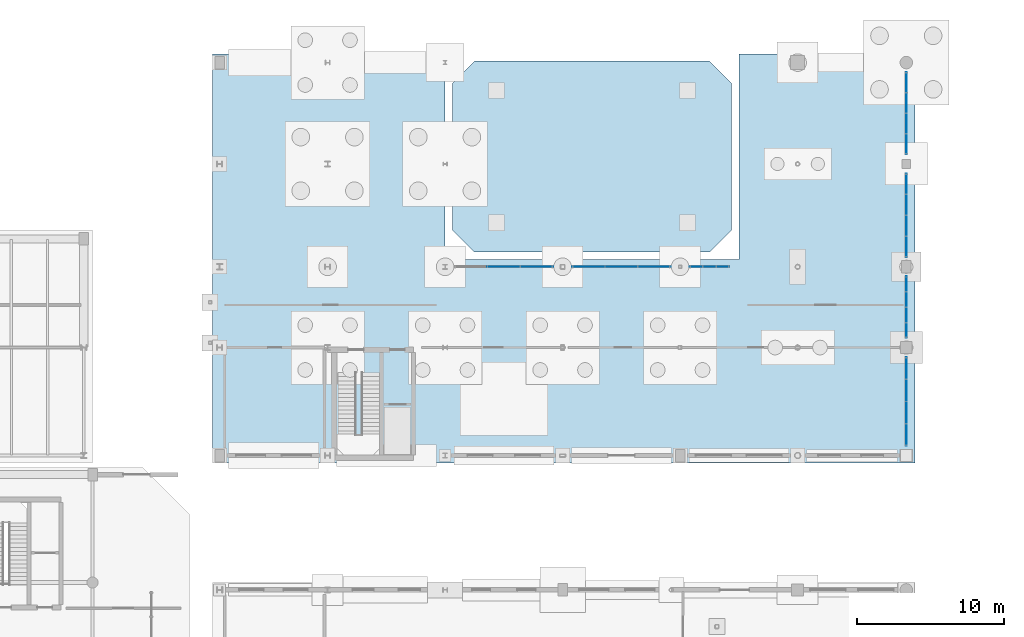
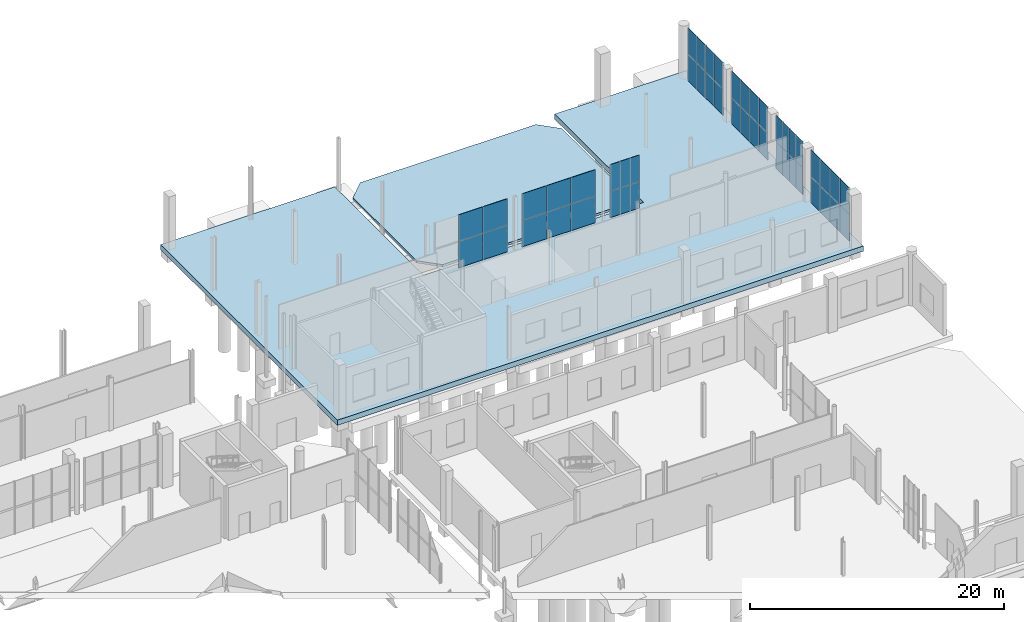
# One storey, part 64 of 87: 48 plates, 2 slabs, 7 elements without a shape of their own.
"""IFC4 building model written with IfcOpenShell, lengths in metres."""

from ifc_helpers import new_model, si_unit, direction, frame, origin, origin_2d, place, context, subcontext, project, spatial, polyline, rectangle, outline, extrude, material, layer, layer_set, type_object, element, aggregate, save


model = new_model("IFC4")

# Units and contexts
model_context = context("Model", 3, precision=1e-05, world=origin(), true_north=direction((0.0, 1.0)))
body_context = subcontext(model_context, "Body", "Model", "MODEL_VIEW")
ifc_project = project(units=[si_unit("LENGTHUNIT", "METRE"), si_unit("AREAUNIT", "SQUARE_METRE"), si_unit("VOLUMEUNIT", "CUBIC_METRE"), si_unit("PLANEANGLEUNIT", "RADIAN"), si_unit("MASSUNIT", "GRAM", prefix="KILO")], contexts=[model_context])

# Site, building, storey
site_placement = place(None, origin())
site = spatial("IfcSite", under=ifc_project, at=site_placement, CompositionType="ELEMENT")
building_placement = place(site_placement, origin())
building = spatial("IfcBuilding", under=site, at=building_placement, Name="Brisemont Oceanarium", CompositionType="ELEMENT")
storey_placement = place(building_placement, origin())
storey = spatial("IfcBuildingStorey", under=building, at=storey_placement, Name="L00", CompositionType="ELEMENT", Elevation=0.0)

# Curtain wall, plates
ifc_material_1 = material(Name="Anodized Extruded Aluminum 6063-T6", Category="aluminium")
curtain_wall_type_1 = type_object("IfcCurtainWallType", Name="CW-RES-52X41", PredefinedType="NOTDEFINED", material=ifc_material_1)
curtain_wall_1_placement = place(storey_placement, origin())
curtain_wall_1 = element("IfcCurtainWall", 1, at=curtain_wall_1_placement, inside=storey, type_object=curtain_wall_type_1, Name="CW-18 curtain wall CW-V6-CL-L00-01", PredefinedType="NOTDEFINED")
ifc_material_2 = material(Name="Insulated Low-E Laminated Glass", Category="glass")
ifc_layer_1 = layer(ifc_material_2, 0.02587890625)
ifc_layer_set_1 = layer_set([ifc_layer_1], Name="Insulated Low-E Laminated Glass")
plate_type_1 = type_object("IfcPlateType", Name="PLT-CWP-V10", PredefinedType="CURTAIN_PANEL", material=ifc_layer_set_1)
plate_1_placement = place(storey_placement, frame((132.0, 93.5, 0.00146484375), z_axis=(0.0, 0.0, 1.0), x_axis=(1.0, 0.0, 0.0)))
plate_1 = element("IfcPlate", 2, at=plate_1_placement, type_object=plate_type_1, Name="CW-V6-CL-L00-01 panel 2.1", PredefinedType="CURTAIN_PANEL", context=body_context, shape_type="SweptSolid", body=[
    extrude(rectangle(XDim=2.230224609375, YDim=0.02587890625, at=origin_2d()), origin(), (0.0, 0.0, 1.0), 2.547119140625),
])
plate_2_placement = place(storey_placement, frame((132.0, 93.5, 2.55126953125), z_axis=(0.0, 0.0, 1.0), x_axis=(1.0, 0.0, 0.0)))
plate_2 = element("IfcPlate", 3, at=plate_2_placement, type_object=plate_type_1, Name="CW-V6-CL-L00-01 panel 2.2", PredefinedType="CURTAIN_PANEL", context=body_context, shape_type="SweptSolid", body=[
    extrude(rectangle(XDim=2.230224609375, YDim=0.02587890625, at=origin_2d()), origin(), (0.0, 0.0, 1.0), 2.547119140625),
])
plate_3_placement = place(storey_placement, frame((134.2333984375, 93.5, 0.00146484375), z_axis=(0.0, 0.0, 1.0), x_axis=(1.0, 0.0, 0.0)))
plate_3 = element("IfcPlate", 4, at=plate_3_placement, type_object=plate_type_1, Name="CW-V6-CL-L00-01 panel 3.1", PredefinedType="CURTAIN_PANEL", context=body_context, shape_type="SweptSolid", body=[
    extrude(rectangle(XDim=2.230224609375, YDim=0.02587890625, at=origin_2d()), origin(), (0.0, 0.0, 1.0), 2.547119140625),
])
plate_4_placement = place(storey_placement, frame((134.2333984375, 93.5, 2.55126953125), z_axis=(0.0, 0.0, 1.0), x_axis=(1.0, 0.0, 0.0)))
plate_4 = element("IfcPlate", 5, at=plate_4_placement, type_object=plate_type_1, Name="CW-V6-CL-L00-01 panel 3.2", PredefinedType="CURTAIN_PANEL", context=body_context, shape_type="SweptSolid", body=[
    extrude(rectangle(XDim=2.230224609375, YDim=0.02587890625, at=origin_2d()), origin(), (0.0, 0.0, 1.0), 2.547119140625),
])
aggregate(curtain_wall_1, [plate_1, plate_2, plate_3, plate_4])

curtain_wall_2_placement = place(storey_placement, origin())
curtain_wall_2 = element("IfcCurtainWall", 6, at=curtain_wall_2_placement, inside=storey, type_object=curtain_wall_type_1, Name="CW-18 curtain wall CW-V6-CL-L00-02", PredefinedType="NOTDEFINED")
plate_5_placement = place(storey_placement, frame((137.7666015625, 93.5, 0.00146484375), z_axis=(0.0, 0.0, 1.0), x_axis=(1.0, 0.0, 0.0)))
plate_5 = element("IfcPlate", 7, at=plate_5_placement, type_object=plate_type_1, Name="CW-V6-CL-L00-02 panel 1.1", PredefinedType="CURTAIN_PANEL", context=body_context, shape_type="SweptSolid", body=[
    extrude(rectangle(XDim=2.230224609375, YDim=0.02587890625, at=origin_2d()), origin(), (0.0, 0.0, 1.0), 2.547119140625),
])
plate_6_placement = place(storey_placement, frame((137.7666015625, 93.5, 2.55126953125), z_axis=(0.0, 0.0, 1.0), x_axis=(1.0, 0.0, 0.0)))
plate_6 = element("IfcPlate", 8, at=plate_6_placement, type_object=plate_type_1, Name="CW-V6-CL-L00-02 panel 1.2", PredefinedType="CURTAIN_PANEL", context=body_context, shape_type="SweptSolid", body=[
    extrude(rectangle(XDim=2.230224609375, YDim=0.02587890625, at=origin_2d()), origin(), (0.0, 0.0, 1.0), 2.547119140625),
])
plate_7_placement = place(storey_placement, frame((140.0, 93.5, 0.00146484375), z_axis=(0.0, 0.0, 1.0), x_axis=(1.0, 0.0, 0.0)))
plate_7 = element("IfcPlate", 9, at=plate_7_placement, type_object=plate_type_1, Name="CW-V6-CL-L00-02 panel 2.1", PredefinedType="CURTAIN_PANEL", context=body_context, shape_type="SweptSolid", body=[
    extrude(rectangle(XDim=2.230224609375, YDim=0.02587890625, at=origin_2d()), origin(), (0.0, 0.0, 1.0), 2.547119140625),
])
plate_8_placement = place(storey_placement, frame((140.0, 93.5, 2.55126953125), z_axis=(0.0, 0.0, 1.0), x_axis=(1.0, 0.0, 0.0)))
plate_8 = element("IfcPlate", 10, at=plate_8_placement, type_object=plate_type_1, Name="CW-V6-CL-L00-02 panel 2.2", PredefinedType="CURTAIN_PANEL", context=body_context, shape_type="SweptSolid", body=[
    extrude(rectangle(XDim=2.230224609375, YDim=0.02587890625, at=origin_2d()), origin(), (0.0, 0.0, 1.0), 2.547119140625),
])
plate_9_placement = place(storey_placement, frame((142.2333984375, 93.5, 0.00146484375), z_axis=(0.0, 0.0, 1.0), x_axis=(1.0, 0.0, 0.0)))
plate_9 = element("IfcPlate", 11, at=plate_9_placement, type_object=plate_type_1, Name="CW-V6-CL-L00-02 panel 3.1", PredefinedType="CURTAIN_PANEL", context=body_context, shape_type="SweptSolid", body=[
    extrude(rectangle(XDim=2.230224609375, YDim=0.02587890625, at=origin_2d()), origin(), (0.0, 0.0, 1.0), 2.547119140625),
])
plate_10_placement = place(storey_placement, frame((142.2333984375, 93.5, 2.55126953125), z_axis=(0.0, 0.0, 1.0), x_axis=(1.0, 0.0, 0.0)))
plate_10 = element("IfcPlate", 12, at=plate_10_placement, type_object=plate_type_1, Name="CW-V6-CL-L00-02 panel 3.2", PredefinedType="CURTAIN_PANEL", context=body_context, shape_type="SweptSolid", body=[
    extrude(rectangle(XDim=2.230224609375, YDim=0.02587890625, at=origin_2d()), origin(), (0.0, 0.0, 1.0), 2.547119140625),
])
aggregate(curtain_wall_2, [plate_5, plate_6, plate_7, plate_8, plate_9, plate_10])

curtain_wall_3_placement = place(storey_placement, origin())
curtain_wall_3 = element("IfcCurtainWall", 13, at=curtain_wall_3_placement, inside=storey, type_object=curtain_wall_type_1, Name="CW-18 curtain wall CW-V6-CL-L00-03", PredefinedType="NOTDEFINED")
plate_11_placement = place(storey_placement, frame((145.10009765625, 93.5, 0.00146484375), z_axis=(0.0, 0.0, 1.0), x_axis=(1.0, 0.0, 0.0)))
plate_11 = element("IfcPlate", 14, at=plate_11_placement, type_object=plate_type_1, Name="CW-V6-CL-L00-03 panel 1.1", PredefinedType="CURTAIN_PANEL", context=body_context, shape_type="SweptSolid", body=[
    extrude(rectangle(XDim=0.89697265625, YDim=0.02587890625, at=origin_2d()), origin(), (0.0, 0.0, 1.0), 2.547119140625),
])
plate_12_placement = place(storey_placement, frame((145.10009765625, 93.5, 2.55126953125), z_axis=(0.0, 0.0, 1.0), x_axis=(1.0, 0.0, 0.0)))
plate_12 = element("IfcPlate", 15, at=plate_12_placement, type_object=plate_type_1, Name="CW-V6-CL-L00-03 panel 1.2", PredefinedType="CURTAIN_PANEL", context=body_context, shape_type="SweptSolid", body=[
    extrude(rectangle(XDim=0.89697265625, YDim=0.02587890625, at=origin_2d()), origin(), (0.0, 0.0, 1.0), 2.547119140625),
])
plate_13_placement = place(storey_placement, frame((146.0, 93.5, 0.00146484375), z_axis=(0.0, 0.0, 1.0), x_axis=(1.0, 0.0, 0.0)))
plate_13 = element("IfcPlate", 16, at=plate_13_placement, type_object=plate_type_1, Name="CW-V6-CL-L00-03 panel 2.1", PredefinedType="CURTAIN_PANEL", context=body_context, shape_type="SweptSolid", body=[
    extrude(rectangle(XDim=0.89697265625, YDim=0.02587890625, at=origin_2d()), origin(), (0.0, 0.0, 1.0), 2.547119140625),
])
plate_14_placement = place(storey_placement, frame((146.0, 93.5, 2.55126953125), z_axis=(0.0, 0.0, 1.0), x_axis=(1.0, 0.0, 0.0)))
plate_14 = element("IfcPlate", 17, at=plate_14_placement, type_object=plate_type_1, Name="CW-V6-CL-L00-03 panel 2.2", PredefinedType="CURTAIN_PANEL", context=body_context, shape_type="SweptSolid", body=[
    extrude(rectangle(XDim=0.89697265625, YDim=0.02587890625, at=origin_2d()), origin(), (0.0, 0.0, 1.0), 2.547119140625),
])
plate_15_placement = place(storey_placement, frame((146.89990234375, 93.5, 0.00146484375), z_axis=(0.0, 0.0, 1.0), x_axis=(1.0, 0.0, 0.0)))
plate_15 = element("IfcPlate", 18, at=plate_15_placement, type_object=plate_type_1, Name="CW-V6-CL-L00-03 panel 3.1", PredefinedType="CURTAIN_PANEL", context=body_context, shape_type="SweptSolid", body=[
    extrude(rectangle(XDim=0.89697265625, YDim=0.02587890625, at=origin_2d()), origin(), (0.0, 0.0, 1.0), 2.547119140625),
])
plate_16_placement = place(storey_placement, frame((146.89990234375, 93.5, 2.55126953125), z_axis=(0.0, 0.0, 1.0), x_axis=(1.0, 0.0, 0.0)))
plate_16 = element("IfcPlate", 19, at=plate_16_placement, type_object=plate_type_1, Name="CW-V6-CL-L00-03 panel 3.2", PredefinedType="CURTAIN_PANEL", context=body_context, shape_type="SweptSolid", body=[
    extrude(rectangle(XDim=0.89697265625, YDim=0.02587890625, at=origin_2d()), origin(), (0.0, 0.0, 1.0), 2.547119140625),
])
aggregate(curtain_wall_3, [plate_11, plate_12, plate_13, plate_14, plate_15, plate_16])

ifc_material_3 = material(Name="Anodized Extruded Aluminum 6063-T6", Category="aluminium")
curtain_wall_type_2 = type_object("IfcCurtainWallType", Name="CW-RES-69X43", PredefinedType="NOTDEFINED", material=ifc_material_3)
curtain_wall_4_placement = place(storey_placement, origin())
curtain_wall_4 = element("IfcCurtainWall", 20, at=curtain_wall_4_placement, inside=storey, type_object=curtain_wall_type_2, Name="CW-16 curtain wall CW-V6-E-L00-01", PredefinedType="NOTDEFINED")
ifc_material_4 = material(Name="Insulated Low-E Laminated Glass", Category="glass")
ifc_layer_2 = layer(ifc_material_4, 0.02587890625)
ifc_layer_set_2 = layer_set([ifc_layer_2], Name="Insulated Low-E Laminated Glass")
plate_type_2 = type_object("IfcPlateType", Name="PLT-CWP-V8", PredefinedType="CURTAIN_PANEL", material=ifc_layer_set_2)
plate_17_placement = place(storey_placement, frame((159.39990234375, 82.05615234375, 0.00146484375), z_axis=(0.0, 0.0, 1.0), x_axis=(0.0, 1.0, 0.0)))
plate_17 = element("IfcPlate", 21, at=plate_17_placement, type_object=plate_type_2, Name="CW-V6-E-L00-01 panel 1.1", PredefinedType="CURTAIN_PANEL", context=body_context, shape_type="SweptSolid", body=[
    extrude(rectangle(XDim=1.509521484375, YDim=0.02587890625, at=origin_2d()), origin(), (0.0, 0.0, 1.0), 2.547119140625),
])
plate_18_placement = place(storey_placement, frame((159.39990234375, 82.05615234375, 2.55126953125), z_axis=(0.0, 0.0, 1.0), x_axis=(0.0, 1.0, 0.0)))
plate_18 = element("IfcPlate", 22, at=plate_18_placement, type_object=plate_type_2, Name="CW-V6-E-L00-01 panel 1.2", PredefinedType="CURTAIN_PANEL", context=body_context, shape_type="SweptSolid", body=[
    extrude(rectangle(XDim=1.509521484375, YDim=0.02587890625, at=origin_2d()), origin(), (0.0, 0.0, 1.0), 2.547119140625),
])
plate_19_placement = place(storey_placement, frame((159.39990234375, 83.568603515625, 0.00146484375), z_axis=(0.0, 0.0, 1.0), x_axis=(0.0, 1.0, 0.0)))
plate_19 = element("IfcPlate", 23, at=plate_19_placement, type_object=plate_type_2, Name="CW-V6-E-L00-01 panel 2.1", PredefinedType="CURTAIN_PANEL", context=body_context, shape_type="SweptSolid", body=[
    extrude(rectangle(XDim=1.509521484375, YDim=0.02587890625, at=origin_2d()), origin(), (0.0, 0.0, 1.0), 2.547119140625),
])
plate_20_placement = place(storey_placement, frame((159.39990234375, 83.568603515625, 2.55126953125), z_axis=(0.0, 0.0, 1.0), x_axis=(0.0, 1.0, 0.0)))
plate_20 = element("IfcPlate", 24, at=plate_20_placement, type_object=plate_type_2, Name="CW-V6-E-L00-01 panel 2.2", PredefinedType="CURTAIN_PANEL", context=body_context, shape_type="SweptSolid", body=[
    extrude(rectangle(XDim=1.509521484375, YDim=0.02587890625, at=origin_2d()), origin(), (0.0, 0.0, 1.0), 2.547119140625),
])
plate_21_placement = place(storey_placement, frame((159.39990234375, 85.081298828125, 0.00146484375), z_axis=(0.0, 0.0, 1.0), x_axis=(0.0, 1.0, 0.0)))
plate_21 = element("IfcPlate", 25, at=plate_21_placement, type_object=plate_type_2, Name="CW-V6-E-L00-01 panel 3.1", PredefinedType="CURTAIN_PANEL", context=body_context, shape_type="SweptSolid", body=[
    extrude(rectangle(XDim=1.509521484375, YDim=0.02587890625, at=origin_2d()), origin(), (0.0, 0.0, 1.0), 2.547119140625),
])
plate_22_placement = place(storey_placement, frame((159.39990234375, 85.081298828125, 2.55126953125), z_axis=(0.0, 0.0, 1.0), x_axis=(0.0, 1.0, 0.0)))
plate_22 = element("IfcPlate", 26, at=plate_22_placement, type_object=plate_type_2, Name="CW-V6-E-L00-01 panel 3.2", PredefinedType="CURTAIN_PANEL", context=body_context, shape_type="SweptSolid", body=[
    extrude(rectangle(XDim=1.509521484375, YDim=0.02587890625, at=origin_2d()), origin(), (0.0, 0.0, 1.0), 2.547119140625),
])
plate_23_placement = place(storey_placement, frame((159.39990234375, 86.59375, 0.00146484375), z_axis=(0.0, 0.0, 1.0), x_axis=(0.0, 1.0, 0.0)))
plate_23 = element("IfcPlate", 27, at=plate_23_placement, type_object=plate_type_2, Name="CW-V6-E-L00-01 panel 4.1", PredefinedType="CURTAIN_PANEL", context=body_context, shape_type="SweptSolid", body=[
    extrude(rectangle(XDim=1.509521484375, YDim=0.02587890625, at=origin_2d()), origin(), (0.0, 0.0, 1.0), 2.547119140625),
])
plate_24_placement = place(storey_placement, frame((159.39990234375, 86.59375, 2.55126953125), z_axis=(0.0, 0.0, 1.0), x_axis=(0.0, 1.0, 0.0)))
plate_24 = element("IfcPlate", 28, at=plate_24_placement, type_object=plate_type_2, Name="CW-V6-E-L00-01 panel 4.2", PredefinedType="CURTAIN_PANEL", context=body_context, shape_type="SweptSolid", body=[
    extrude(rectangle(XDim=1.509521484375, YDim=0.02587890625, at=origin_2d()), origin(), (0.0, 0.0, 1.0), 2.547119140625),
])
aggregate(curtain_wall_4, [plate_17, plate_18, plate_19, plate_20, plate_21, plate_22, plate_23, plate_24])

curtain_wall_5_placement = place(storey_placement, origin())
curtain_wall_5 = element("IfcCurtainWall", 29, at=curtain_wall_5_placement, inside=storey, type_object=curtain_wall_type_2, Name="CW-16 curtain wall CW-V6-E-L00-02", PredefinedType="NOTDEFINED")
plate_25_placement = place(storey_placement, frame((159.39990234375, 89.175048828125, 0.00146484375), z_axis=(0.0, 0.0, 1.0), x_axis=(0.0, 1.0, 0.0)))
plate_25 = element("IfcPlate", 30, at=plate_25_placement, type_object=plate_type_2, Name="CW-V6-E-L00-02 panel 1.1", PredefinedType="CURTAIN_PANEL", context=body_context, shape_type="SweptSolid", body=[
    extrude(rectangle(XDim=1.047119140625, YDim=0.02587890625, at=origin_2d()), origin(), (0.0, 0.0, 1.0), 2.547119140625),
])
plate_26_placement = place(storey_placement, frame((159.39990234375, 89.175048828125, 2.55126953125), z_axis=(0.0, 0.0, 1.0), x_axis=(0.0, 1.0, 0.0)))
plate_26 = element("IfcPlate", 31, at=plate_26_placement, type_object=plate_type_2, Name="CW-V6-E-L00-02 panel 1.2", PredefinedType="CURTAIN_PANEL", context=body_context, shape_type="SweptSolid", body=[
    extrude(rectangle(XDim=1.047119140625, YDim=0.02587890625, at=origin_2d()), origin(), (0.0, 0.0, 1.0), 2.547119140625),
])
plate_27_placement = place(storey_placement, frame((159.39990234375, 90.22509765625, 0.00146484375), z_axis=(0.0, 0.0, 1.0), x_axis=(0.0, 1.0, 0.0)))
plate_27 = element("IfcPlate", 32, at=plate_27_placement, type_object=plate_type_2, Name="CW-V6-E-L00-02 panel 2.1", PredefinedType="CURTAIN_PANEL", context=body_context, shape_type="SweptSolid", body=[
    extrude(rectangle(XDim=1.047119140625, YDim=0.02587890625, at=origin_2d()), origin(), (0.0, 0.0, 1.0), 2.547119140625),
])
plate_28_placement = place(storey_placement, frame((159.39990234375, 90.22509765625, 2.55126953125), z_axis=(0.0, 0.0, 1.0), x_axis=(0.0, 1.0, 0.0)))
plate_28 = element("IfcPlate", 33, at=plate_28_placement, type_object=plate_type_2, Name="CW-V6-E-L00-02 panel 2.2", PredefinedType="CURTAIN_PANEL", context=body_context, shape_type="SweptSolid", body=[
    extrude(rectangle(XDim=1.047119140625, YDim=0.02587890625, at=origin_2d()), origin(), (0.0, 0.0, 1.0), 2.547119140625),
])
plate_29_placement = place(storey_placement, frame((159.39990234375, 91.27490234375, 0.00146484375), z_axis=(0.0, 0.0, 1.0), x_axis=(0.0, 1.0, 0.0)))
plate_29 = element("IfcPlate", 34, at=plate_29_placement, type_object=plate_type_2, Name="CW-V6-E-L00-02 panel 3.1", PredefinedType="CURTAIN_PANEL", context=body_context, shape_type="SweptSolid", body=[
    extrude(rectangle(XDim=1.047119140625, YDim=0.02587890625, at=origin_2d()), origin(), (0.0, 0.0, 1.0), 2.547119140625),
])
plate_30_placement = place(storey_placement, frame((159.39990234375, 91.27490234375, 2.55126953125), z_axis=(0.0, 0.0, 1.0), x_axis=(0.0, 1.0, 0.0)))
plate_30 = element("IfcPlate", 35, at=plate_30_placement, type_object=plate_type_2, Name="CW-V6-E-L00-02 panel 3.2", PredefinedType="CURTAIN_PANEL", context=body_context, shape_type="SweptSolid", body=[
    extrude(rectangle(XDim=1.047119140625, YDim=0.02587890625, at=origin_2d()), origin(), (0.0, 0.0, 1.0), 2.547119140625),
])
plate_31_placement = place(storey_placement, frame((159.39990234375, 92.324951171875, 0.00146484375), z_axis=(0.0, 0.0, 1.0), x_axis=(0.0, 1.0, 0.0)))
plate_31 = element("IfcPlate", 36, at=plate_31_placement, type_object=plate_type_2, Name="CW-V6-E-L00-02 panel 4.1", PredefinedType="CURTAIN_PANEL", context=body_context, shape_type="SweptSolid", body=[
    extrude(rectangle(XDim=1.047119140625, YDim=0.02587890625, at=origin_2d()), origin(), (0.0, 0.0, 1.0), 2.547119140625),
])
plate_32_placement = place(storey_placement, frame((159.39990234375, 92.324951171875, 2.55126953125), z_axis=(0.0, 0.0, 1.0), x_axis=(0.0, 1.0, 0.0)))
plate_32 = element("IfcPlate", 37, at=plate_32_placement, type_object=plate_type_2, Name="CW-V6-E-L00-02 panel 4.2", PredefinedType="CURTAIN_PANEL", context=body_context, shape_type="SweptSolid", body=[
    extrude(rectangle(XDim=1.047119140625, YDim=0.02587890625, at=origin_2d()), origin(), (0.0, 0.0, 1.0), 2.547119140625),
])
aggregate(curtain_wall_5, [plate_25, plate_26, plate_27, plate_28, plate_29, plate_30, plate_31, plate_32])

curtain_wall_6_placement = place(storey_placement, origin())
curtain_wall_6 = element("IfcCurtainWall", 38, at=curtain_wall_6_placement, inside=storey, type_object=curtain_wall_type_2, Name="CW-16 curtain wall CW-V6-E-L00-03", PredefinedType="NOTDEFINED")
plate_33_placement = place(storey_placement, frame((159.39990234375, 94.862548828125, 0.00146484375), z_axis=(0.0, 0.0, 1.0), x_axis=(0.0, 1.0, 0.0)))
plate_33 = element("IfcPlate", 39, at=plate_33_placement, type_object=plate_type_2, Name="CW-V6-E-L00-03 panel 1.1", PredefinedType="CURTAIN_PANEL", context=body_context, shape_type="SweptSolid", body=[
    extrude(rectangle(XDim=1.422119140625, YDim=0.02587890625, at=origin_2d()), origin(), (0.0, 0.0, 1.0), 2.547119140625),
])
plate_34_placement = place(storey_placement, frame((159.39990234375, 94.862548828125, 2.55126953125), z_axis=(0.0, 0.0, 1.0), x_axis=(0.0, 1.0, 0.0)))
plate_34 = element("IfcPlate", 40, at=plate_34_placement, type_object=plate_type_2, Name="CW-V6-E-L00-03 panel 1.2", PredefinedType="CURTAIN_PANEL", context=body_context, shape_type="SweptSolid", body=[
    extrude(rectangle(XDim=1.422119140625, YDim=0.02587890625, at=origin_2d()), origin(), (0.0, 0.0, 1.0), 2.547119140625),
])
plate_35_placement = place(storey_placement, frame((159.39990234375, 96.28759765625, 0.00146484375), z_axis=(0.0, 0.0, 1.0), x_axis=(0.0, 1.0, 0.0)))
plate_35 = element("IfcPlate", 41, at=plate_35_placement, type_object=plate_type_2, Name="CW-V6-E-L00-03 panel 2.1", PredefinedType="CURTAIN_PANEL", context=body_context, shape_type="SweptSolid", body=[
    extrude(rectangle(XDim=1.422119140625, YDim=0.02587890625, at=origin_2d()), origin(), (0.0, 0.0, 1.0), 2.547119140625),
])
plate_36_placement = place(storey_placement, frame((159.39990234375, 96.28759765625, 2.55126953125), z_axis=(0.0, 0.0, 1.0), x_axis=(0.0, 1.0, 0.0)))
plate_36 = element("IfcPlate", 42, at=plate_36_placement, type_object=plate_type_2, Name="CW-V6-E-L00-03 panel 2.2", PredefinedType="CURTAIN_PANEL", context=body_context, shape_type="SweptSolid", body=[
    extrude(rectangle(XDim=1.422119140625, YDim=0.02587890625, at=origin_2d()), origin(), (0.0, 0.0, 1.0), 2.547119140625),
])
plate_37_placement = place(storey_placement, frame((159.39990234375, 97.71240234375, 0.00146484375), z_axis=(0.0, 0.0, 1.0), x_axis=(0.0, 1.0, 0.0)))
plate_37 = element("IfcPlate", 43, at=plate_37_placement, type_object=plate_type_2, Name="CW-V6-E-L00-03 panel 3.1", PredefinedType="CURTAIN_PANEL", context=body_context, shape_type="SweptSolid", body=[
    extrude(rectangle(XDim=1.422119140625, YDim=0.02587890625, at=origin_2d()), origin(), (0.0, 0.0, 1.0), 2.547119140625),
])
plate_38_placement = place(storey_placement, frame((159.39990234375, 97.71240234375, 2.55126953125), z_axis=(0.0, 0.0, 1.0), x_axis=(0.0, 1.0, 0.0)))
plate_38 = element("IfcPlate", 44, at=plate_38_placement, type_object=plate_type_2, Name="CW-V6-E-L00-03 panel 3.2", PredefinedType="CURTAIN_PANEL", context=body_context, shape_type="SweptSolid", body=[
    extrude(rectangle(XDim=1.422119140625, YDim=0.02587890625, at=origin_2d()), origin(), (0.0, 0.0, 1.0), 2.547119140625),
])
plate_39_placement = place(storey_placement, frame((159.39990234375, 99.137451171875, 0.00146484375), z_axis=(0.0, 0.0, 1.0), x_axis=(0.0, 1.0, 0.0)))
plate_39 = element("IfcPlate", 45, at=plate_39_placement, type_object=plate_type_2, Name="CW-V6-E-L00-03 panel 4.1", PredefinedType="CURTAIN_PANEL", context=body_context, shape_type="SweptSolid", body=[
    extrude(rectangle(XDim=1.422119140625, YDim=0.02587890625, at=origin_2d()), origin(), (0.0, 0.0, 1.0), 2.547119140625),
])
plate_40_placement = place(storey_placement, frame((159.39990234375, 99.137451171875, 2.55126953125), z_axis=(0.0, 0.0, 1.0), x_axis=(0.0, 1.0, 0.0)))
plate_40 = element("IfcPlate", 46, at=plate_40_placement, type_object=plate_type_2, Name="CW-V6-E-L00-03 panel 4.2", PredefinedType="CURTAIN_PANEL", context=body_context, shape_type="SweptSolid", body=[
    extrude(rectangle(XDim=1.422119140625, YDim=0.02587890625, at=origin_2d()), origin(), (0.0, 0.0, 1.0), 2.547119140625),
])
aggregate(curtain_wall_6, [plate_33, plate_34, plate_35, plate_36, plate_37, plate_38, plate_39, plate_40])

curtain_wall_7_placement = place(storey_placement, origin())
curtain_wall_7 = element("IfcCurtainWall", 47, at=curtain_wall_7_placement, inside=storey, type_object=curtain_wall_type_2, Name="CW-16 curtain wall CW-V6-E-L00-04", PredefinedType="NOTDEFINED")
plate_41_placement = place(storey_placement, frame((159.39990234375, 101.85009765625, 0.00146484375), z_axis=(0.0, 0.0, 1.0), x_axis=(0.0, 1.0, 0.0)))
plate_41 = element("IfcPlate", 48, at=plate_41_placement, type_object=plate_type_2, Name="CW-V6-E-L00-04 panel 1.1", PredefinedType="CURTAIN_PANEL", context=body_context, shape_type="SweptSolid", body=[
    extrude(rectangle(XDim=1.39697265625, YDim=0.02587890625, at=origin_2d()), origin(), (0.0, 0.0, 1.0), 2.547119140625),
])
plate_42_placement = place(storey_placement, frame((159.39990234375, 101.85009765625, 2.55126953125), z_axis=(0.0, 0.0, 1.0), x_axis=(0.0, 1.0, 0.0)))
plate_42 = element("IfcPlate", 49, at=plate_42_placement, type_object=plate_type_2, Name="CW-V6-E-L00-04 panel 1.2", PredefinedType="CURTAIN_PANEL", context=body_context, shape_type="SweptSolid", body=[
    extrude(rectangle(XDim=1.39697265625, YDim=0.02587890625, at=origin_2d()), origin(), (0.0, 0.0, 1.0), 2.547119140625),
])
plate_43_placement = place(storey_placement, frame((159.39990234375, 103.25, 0.00146484375), z_axis=(0.0, 0.0, 1.0), x_axis=(0.0, 1.0, 0.0)))
plate_43 = element("IfcPlate", 50, at=plate_43_placement, type_object=plate_type_2, Name="CW-V6-E-L00-04 panel 2.1", PredefinedType="CURTAIN_PANEL", context=body_context, shape_type="SweptSolid", body=[
    extrude(rectangle(XDim=1.39697265625, YDim=0.02587890625, at=origin_2d()), origin(), (0.0, 0.0, 1.0), 2.547119140625),
])
plate_44_placement = place(storey_placement, frame((159.39990234375, 103.25, 2.55126953125), z_axis=(0.0, 0.0, 1.0), x_axis=(0.0, 1.0, 0.0)))
plate_44 = element("IfcPlate", 51, at=plate_44_placement, type_object=plate_type_2, Name="CW-V6-E-L00-04 panel 2.2", PredefinedType="CURTAIN_PANEL", context=body_context, shape_type="SweptSolid", body=[
    extrude(rectangle(XDim=1.39697265625, YDim=0.02587890625, at=origin_2d()), origin(), (0.0, 0.0, 1.0), 2.547119140625),
])
plate_45_placement = place(storey_placement, frame((159.39990234375, 104.64990234375, 0.00146484375), z_axis=(0.0, 0.0, 1.0), x_axis=(0.0, 1.0, 0.0)))
plate_45 = element("IfcPlate", 52, at=plate_45_placement, type_object=plate_type_2, Name="CW-V6-E-L00-04 panel 3.1", PredefinedType="CURTAIN_PANEL", context=body_context, shape_type="SweptSolid", body=[
    extrude(rectangle(XDim=1.39697265625, YDim=0.02587890625, at=origin_2d()), origin(), (0.0, 0.0, 1.0), 2.547119140625),
])
plate_46_placement = place(storey_placement, frame((159.39990234375, 104.64990234375, 2.55126953125), z_axis=(0.0, 0.0, 1.0), x_axis=(0.0, 1.0, 0.0)))
plate_46 = element("IfcPlate", 53, at=plate_46_placement, type_object=plate_type_2, Name="CW-V6-E-L00-04 panel 3.2", PredefinedType="CURTAIN_PANEL", context=body_context, shape_type="SweptSolid", body=[
    extrude(rectangle(XDim=1.39697265625, YDim=0.02587890625, at=origin_2d()), origin(), (0.0, 0.0, 1.0), 2.547119140625),
])
plate_47_placement = place(storey_placement, frame((159.39990234375, 106.050048828125, 0.00146484375), z_axis=(0.0, 0.0, 1.0), x_axis=(0.0, 1.0, 0.0)))
plate_47 = element("IfcPlate", 54, at=plate_47_placement, type_object=plate_type_2, Name="CW-V6-E-L00-04 panel 4.1", PredefinedType="CURTAIN_PANEL", context=body_context, shape_type="SweptSolid", body=[
    extrude(rectangle(XDim=1.39697265625, YDim=0.02587890625, at=origin_2d()), origin(), (0.0, 0.0, 1.0), 2.547119140625),
])
plate_48_placement = place(storey_placement, frame((159.39990234375, 106.050048828125, 2.55126953125), z_axis=(0.0, 0.0, 1.0), x_axis=(0.0, 1.0, 0.0)))
plate_48 = element("IfcPlate", 55, at=plate_48_placement, type_object=plate_type_2, Name="CW-V6-E-L00-04 panel 4.2", PredefinedType="CURTAIN_PANEL", context=body_context, shape_type="SweptSolid", body=[
    extrude(rectangle(XDim=1.39697265625, YDim=0.02587890625, at=origin_2d()), origin(), (0.0, 0.0, 1.0), 2.547119140625),
])
aggregate(curtain_wall_7, [plate_41, plate_42, plate_43, plate_44, plate_45, plate_46, plate_47, plate_48])

# Slabs
ifc_material_5 = material(Name="Concrete C40/50", Category="concrete")
ifc_layer_3 = layer(ifc_material_5, 0.5)
ifc_layer_set_3 = layer_set([ifc_layer_3], Name="Concrete C40/50")
slab_type_1 = type_object("IfcSlabType", Name="SLB-BASE-500", PredefinedType="BASESLAB", material=ifc_layer_set_3)
slab_1_placement = place(storey_placement, frame((0.0, 0.0, -0.5)))
element("IfcSlab", 56, at=slab_1_placement, inside=storey, type_object=slab_type_1, Name="V6 L00 baseslab slab", PredefinedType="BASESLAB", context=body_context, shape_type="SweptSolid", body=[
    extrude(outline(polyline([(112.14990234375, 80.14990234375), (160.0, 80.14990234375), (160.0, 108.0), (148.0, 108.0), (148.0, 94.0), (128.0, 94.0), (128.0, 108.0), (112.14990234375, 108.0), (112.14990234375, 80.14990234375)])), origin(), (0.0, 0.0, 1.0), 0.5),
])
ifc_material_6 = material(Name="Concrete C40/50", Category="concrete")
ifc_layer_4 = layer(ifc_material_6, 0.219970703125)
ifc_layer_set_4 = layer_set([ifc_layer_4], Name="Concrete C40/50")
slab_type_2 = type_object("IfcSlabType", Name="SLB-TER-220", PredefinedType="FLOOR", material=ifc_layer_set_4)
slab_2_placement = place(storey_placement, frame((0.0, 0.0, -0.219970703125)))
element("IfcSlab", 57, at=slab_2_placement, inside=storey, type_object=slab_type_2, Name="V6 L00 terrace slab", PredefinedType="FLOOR", context=body_context, shape_type="SweptSolid", body=[
    extrude(outline(polyline([(130.0, 94.5), (146.0, 94.5), (147.5, 96.0), (147.5, 106.0), (146.0, 107.5), (130.0, 107.5), (128.5, 106.0), (128.5, 96.0), (130.0, 94.5)])), origin(), (0.0, 0.0, 1.0), 0.219970703125),
])

save(model, "model.ifc")
